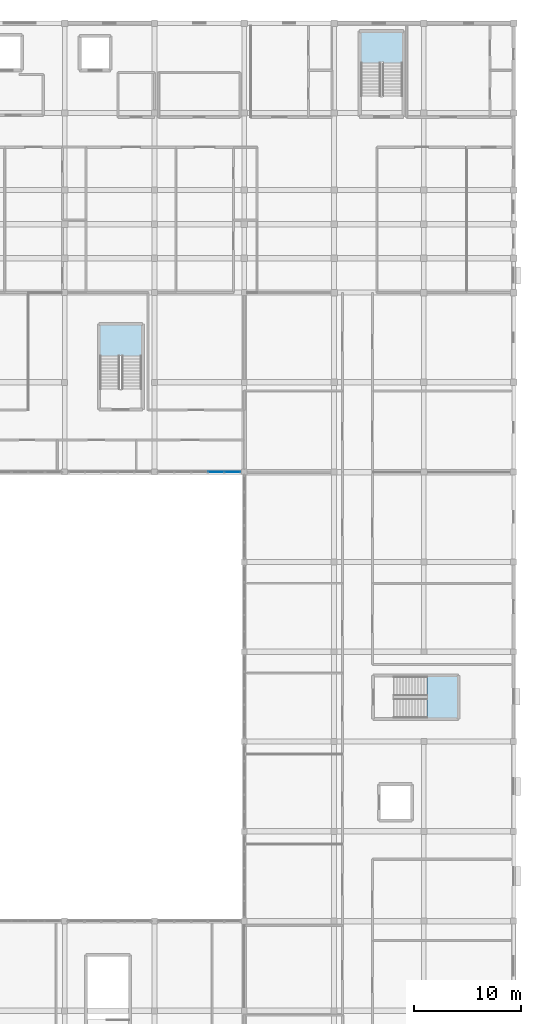
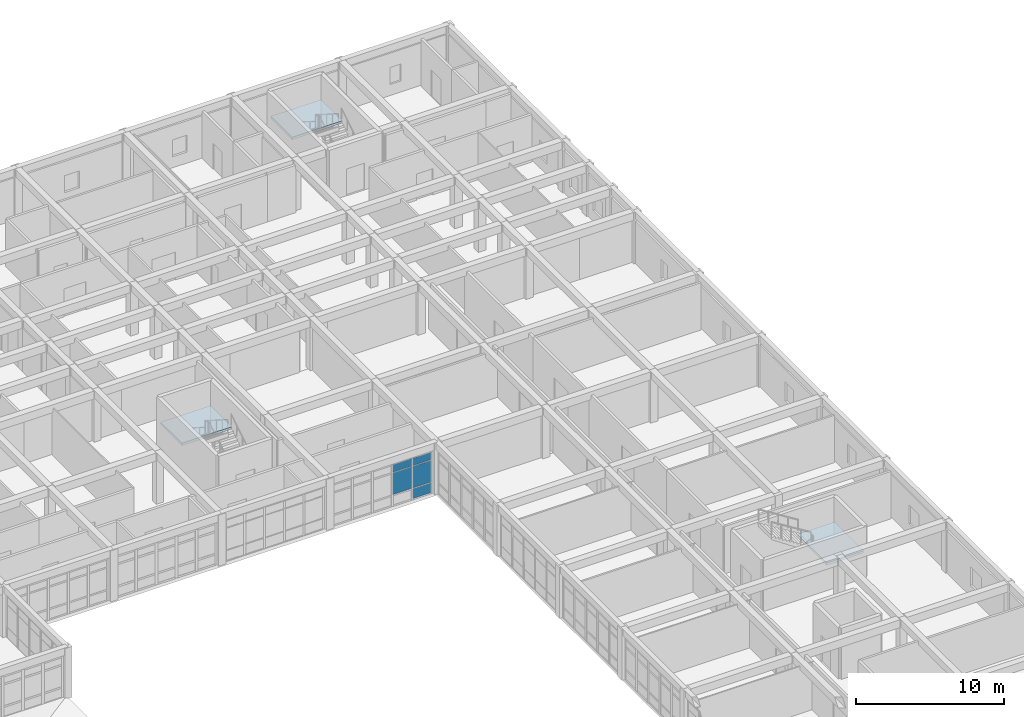
# One storey, part 42 of 77: 5 plates, 3 slabs, 4 elements without a shape of their own.
"""IFC4 building model written with IfcOpenShell, lengths in metres."""

from ifc_helpers import new_model, si_unit, direction, frame, origin, origin_2d, place, context, subcontext, project, spatial, polyline, rectangle, outline, extrude, material, layer, layer_set, type_object, element, aggregate, save


model = new_model("IFC4")

# Units and contexts
model_context = context("Model", 3, precision=1e-05, world=origin(), true_north=direction((0.0, 1.0)))
body_context = subcontext(model_context, "Body", "Model", "MODEL_VIEW")
ifc_project = project(units=[si_unit("LENGTHUNIT", "METRE"), si_unit("AREAUNIT", "SQUARE_METRE"), si_unit("VOLUMEUNIT", "CUBIC_METRE"), si_unit("PLANEANGLEUNIT", "RADIAN"), si_unit("MASSUNIT", "GRAM", prefix="KILO")], contexts=[model_context])

# Site, building, storey
site_placement = place(None, origin())
site = spatial("IfcSite", under=ifc_project, at=site_placement, CompositionType="ELEMENT")
building_placement = place(site_placement, origin())
building = spatial("IfcBuilding", under=site, at=building_placement, Name="Varncliffe General Hospital", CompositionType="ELEMENT")
storey_placement = place(building_placement, frame((0.0, 0.0, 16.199951171875)))
storey = spatial("IfcBuildingStorey", under=building, at=storey_placement, Name="L03", CompositionType="ELEMENT", Elevation=16.199951171875)

# Curtain wall, plates
ifc_material_1 = material(Name="Triple low-E argon insulated vision glazing", Category="glass")
curtain_wall_type = type_object("IfcCurtainWallType", Name="Unitised Glazed Curtain Wall CW23 (7774x3440)", PredefinedType="USERDEFINED", material=ifc_material_1)
curtain_wall_placement = place(storey_placement, origin())
curtain_wall = element("IfcCurtainWall", 1, at=curtain_wall_placement, inside=storey, type_object=curtain_wall_type, Name="L03 Glazed Curtain Wall CW23-169", ObjectType="GLAZED CURTAIN WALL", PredefinedType="USERDEFINED")
ifc_layer_1 = layer(ifc_material_1, 0.035888671875)
ifc_layer_set_1 = layer_set([ifc_layer_1], Name="Triple low-E argon insulated vision glazing")
plate_type = type_object("IfcPlateType", Name="Curtain Wall Glazing Panel CP27 (36mm)", PredefinedType="CURTAIN_PANEL", material=ifc_layer_set_1)
plate_1_placement = place(storey_placement, frame((150.0908203125, 82.800048828125, 0.06005859375), z_axis=(0.0, 0.0, 1.0), x_axis=(-1.0, 0.0, 0.0)))
plate_1 = element("IfcPlate", 2, at=plate_1_placement, type_object=plate_type, Name="CW23 panel 1.1", PredefinedType="CURTAIN_PANEL", context=body_context, shape_type="SweptSolid", body=[
    extrude(rectangle(XDim=1.4423828125, YDim=0.035888671875, at=origin_2d()), origin(), (0.0, 0.0, 1.0), 0.81005859375),
])
plate_2_placement = place(storey_placement, frame((150.0908203125, 82.800048828125, 0.93017578125), z_axis=(0.0, 0.0, 1.0), x_axis=(-1.0, 0.0, 0.0)))
plate_2 = element("IfcPlate", 3, at=plate_2_placement, type_object=plate_type, Name="CW23 panel 1.2", PredefinedType="CURTAIN_PANEL", context=body_context, shape_type="SweptSolid", body=[
    extrude(rectangle(XDim=1.4423828125, YDim=0.035888671875, at=origin_2d()), origin(), (0.0, 0.0, 1.0), 1.780029296875),
])
plate_3_placement = place(storey_placement, frame((150.0908203125, 82.800048828125, 2.77001953125), z_axis=(0.0, 0.0, 1.0), x_axis=(-1.0, 0.0, 0.0)))
plate_3 = element("IfcPlate", 4, at=plate_3_placement, type_object=plate_type, Name="CW23 panel 1.3", PredefinedType="CURTAIN_PANEL", context=body_context, shape_type="SweptSolid", body=[
    extrude(rectangle(XDim=1.4423828125, YDim=0.035888671875, at=origin_2d()), origin(), (0.0, 0.0, 1.0), 0.610107421875),
])
plate_4_placement = place(storey_placement, frame((148.5546875, 82.800048828125, 0.93017578125), z_axis=(0.0, 0.0, 1.0), x_axis=(-1.0, 0.0, 0.0)))
plate_4 = element("IfcPlate", 5, at=plate_4_placement, type_object=plate_type, Name="CW23 panel 2.2", PredefinedType="CURTAIN_PANEL", context=body_context, shape_type="SweptSolid", body=[
    extrude(rectangle(XDim=1.479736328125, YDim=0.035888671875, at=origin_2d()), origin(), (0.0, 0.0, 1.0), 1.780029296875),
])
plate_5_placement = place(storey_placement, frame((148.5546875, 82.800048828125, 2.77001953125), z_axis=(0.0, 0.0, 1.0), x_axis=(-1.0, 0.0, 0.0)))
plate_5 = element("IfcPlate", 6, at=plate_5_placement, type_object=plate_type, Name="CW23 panel 2.3", PredefinedType="CURTAIN_PANEL", context=body_context, shape_type="SweptSolid", body=[
    extrude(rectangle(XDim=1.479736328125, YDim=0.035888671875, at=origin_2d()), origin(), (0.0, 0.0, 1.0), 0.610107421875),
])
aggregate(curtain_wall, [plate_1, plate_2, plate_3, plate_4, plate_5])

# Stair, slab
ifc_material_2 = material(Name="Concrete C35/45 (CSA A23.1 35 MPa)", Category="concrete")
stair_type = type_object("IfcStairType", Name="Hospital Stair Assembly ST-T03 (1850w-4200h)", PredefinedType="TWO_STRAIGHT_RUN_STAIR", material=ifc_material_2)
stair_1_placement = place(storey_placement, origin())
stair_1 = element("IfcStair", 7, at=stair_1_placement, inside=storey, type_object=stair_type, Name="L03 North-East Ward Exit Stair 4", PredefinedType="TWO_STRAIGHT_RUN_STAIR")
ifc_layer_2 = layer(ifc_material_2, 0.199951171875)
ifc_layer_set_2 = layer_set([ifc_layer_2], Name="Concrete C35/45 (CSA A23.1 35 MPa)")
slab_type = type_object("IfcSlabType", Name="Reinforced Concrete Stair Landing LND50 (200mm)", PredefinedType="LANDING", material=ifc_layer_set_2)
slab_1_placement = place(storey_placement, frame((0.0, 0.0, 1.900146484375)))
slab_1 = element("IfcSlab", 8, at=slab_1_placement, type_object=slab_type, Name="ST04 landing 1", PredefinedType="LANDING", context=body_context, shape_type="SweptSolid", body=[
    extrude(outline(polyline([(166.0, 121.080078125), (166.0, 123.949951171875), (162.10009765625, 123.949951171875), (162.10009765625, 121.080078125), (166.0, 121.080078125)])), origin(), (0.0, 0.0, 1.0), 0.199951171875),
])
aggregate(stair_1, [slab_1])

stair_2_placement = place(storey_placement, origin())
stair_2 = element("IfcStair", 9, at=stair_2_placement, inside=storey, type_object=stair_type, Name="L03 Outpatient East Exit Stair 7", PredefinedType="TWO_STRAIGHT_RUN_STAIR")
slab_2_placement = place(storey_placement, frame((0.0, 0.0, 1.900146484375)))
slab_2 = element("IfcSlab", 10, at=slab_2_placement, type_object=slab_type, Name="ST07 landing 1", PredefinedType="LANDING", context=body_context, shape_type="SweptSolid", body=[
    extrude(outline(polyline([(168.280029296875, 59.800048828125), (171.14990234375, 59.800048828125), (171.14990234375, 63.699951171875), (168.280029296875, 63.699951171875), (168.280029296875, 59.800048828125)])), origin(), (0.0, 0.0, 1.0), 0.199951171875),
])
aggregate(stair_2, [slab_2])

stair_3_placement = place(storey_placement, origin())
stair_3 = element("IfcStair", 11, at=stair_3_placement, inside=storey, type_object=stair_type, Name="L03 East-Central Clinical Exit Stair 14", PredefinedType="TWO_STRAIGHT_RUN_STAIR")
slab_3_placement = place(storey_placement, frame((0.0, 0.0, 1.900146484375)))
slab_3 = element("IfcSlab", 12, at=slab_3_placement, type_object=slab_type, Name="ST14 landing 1", PredefinedType="LANDING", context=body_context, shape_type="SweptSolid", body=[
    extrude(outline(polyline([(141.60009765625, 93.679931640625), (141.60009765625, 96.550048828125), (137.699951171875, 96.550048828125), (137.699951171875, 93.679931640625), (141.60009765625, 93.679931640625)])), origin(), (0.0, 0.0, 1.0), 0.199951171875),
])
aggregate(stair_3, [slab_3])

save(model, "model.ifc")
